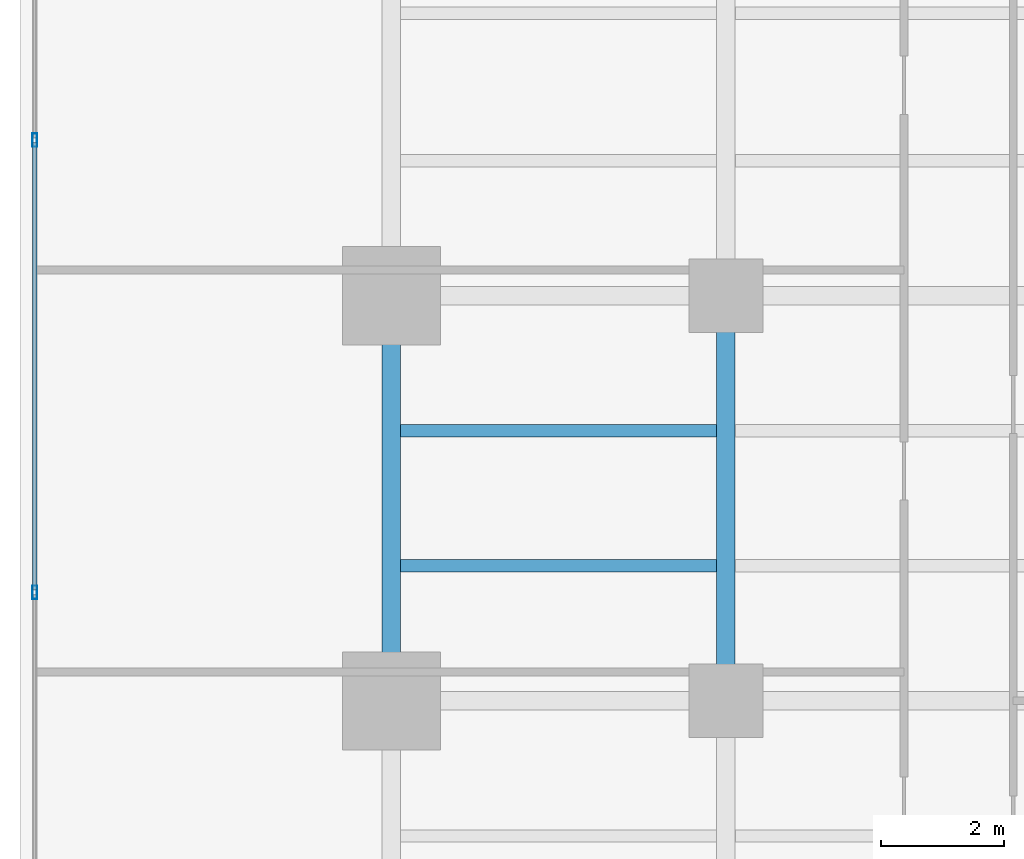
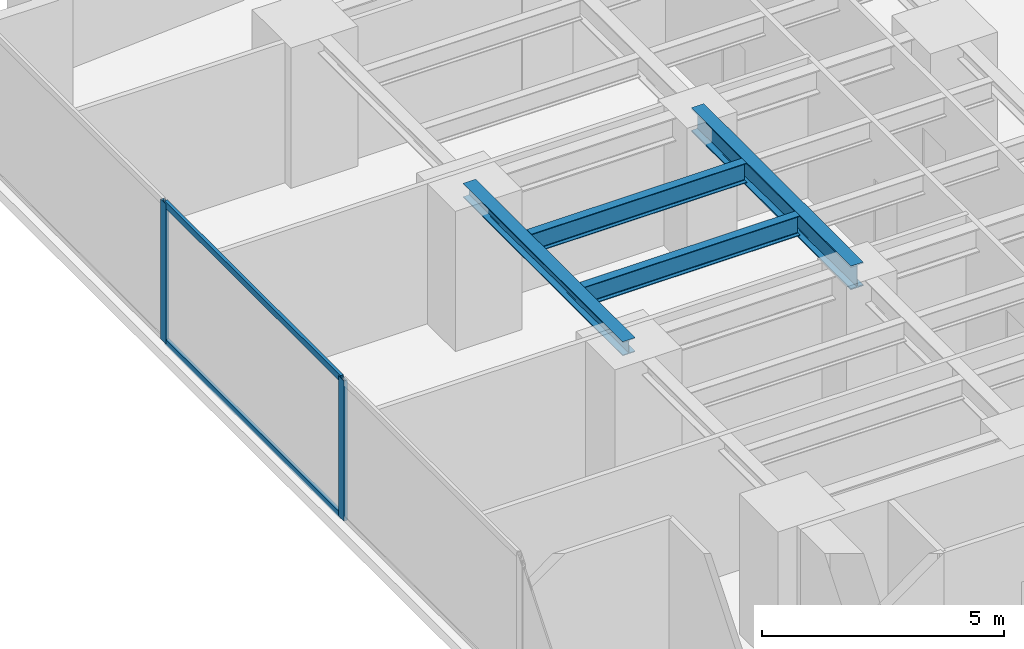
# One storey, part 15 of 27: 4 beams, 4 members, 1 element without a shape of its own.
"""IFC4 building model written with IfcOpenShell, lengths in metres."""

from ifc_helpers import new_model, si_unit, direction, frame, origin, origin_with_axes, origin_2d, place, context, subcontext, project, spatial, hollow_rectangle, i_section, extrude, source, transform, mapped, material, layer, layer_set, material_profile, profile_set, type_object, element, aggregate, save


model = new_model("IFC4")

# Units and contexts
model_context = context("Model", 3, precision=1e-05, world=origin(), true_north=direction((0.0, 1.0)))
body_context = subcontext(model_context, "Body", "Model", "MODEL_VIEW")
ifc_project = project(units=[si_unit("LENGTHUNIT", "METRE"), si_unit("AREAUNIT", "SQUARE_METRE"), si_unit("VOLUMEUNIT", "CUBIC_METRE"), si_unit("PLANEANGLEUNIT", "RADIAN"), si_unit("MASSUNIT", "GRAM", prefix="KILO")], contexts=[model_context])

# Site, building, storey
site_placement = place(None, origin())
site = spatial("IfcSite", under=ifc_project, at=site_placement, CompositionType="ELEMENT")
building_placement = place(site_placement, origin())
building = spatial("IfcBuilding", under=site, at=building_placement, Name="Kolvaren Waterfront Exchange", CompositionType="ELEMENT")
storey_placement = place(building_placement, frame((0.0, 0.0, 63.800048828125)))
storey = spatial("IfcBuildingStorey", under=building, at=storey_placement, Name="L16", CompositionType="ELEMENT", Elevation=63.800048828125)

# Beams
ifc_material_1 = material(Name="Steel S355", Category="steel")
ifc_material_profile_1 = material_profile(ifc_material_1, i_section(OverallWidth=0.300048828125, OverallDepth=0.360107421875, WebThickness=0.012451171875, FlangeThickness=0.0224609375, FilletRadius=0.027099609375, at=origin_2d()), Name="HEB360")
ifc_profile_set_1 = profile_set([ifc_material_profile_1], Name="Steel S355")
beam_type_1 = type_object("IfcBeamType", Name="STR-BM-HEB360", PredefinedType="SPANDREL", material=ifc_profile_set_1)
beam_1_placement = place(storey_placement, frame((7.449951171875, 31.199951171875, 3.35986328125), z_axis=(0.0, 1.0, 0.0), x_axis=(-1.0, 0.0, 0.0)))
element("IfcBeam", 1, at=beam_1_placement, inside=storey, type_object=beam_type_1, Name="L16 north-arm edge beam 2", PredefinedType="SPANDREL", context=body_context, shape_type="SweptSolid", body=[
    extrude(i_section(OverallWidth=0.300048828125, OverallDepth=0.360107421875, WebThickness=0.012451171875, FlangeThickness=0.0224609375, FilletRadius=0.027099609375, at=origin_2d()), origin(), (0.0, 0.0, 1.0), 6.60009765625),
])
ifc_material_profile_2 = material_profile(ifc_material_1, i_section(OverallWidth=0.300048828125, OverallDepth=0.60009765625, WebThickness=0.015380859375, FlangeThickness=0.030029296875, FilletRadius=0.027099609375, at=origin_2d()), Name="HEB600")
ifc_profile_set_2 = profile_set([ifc_material_profile_2], Name="Steel S355")
beam_type_2 = type_object("IfcBeamType", Name="STR-BM-HEB600", PredefinedType="BEAM", material=ifc_profile_set_2)
beam_2_placement = place(storey_placement, frame((12.89990234375, 31.199951171875, 3.239990234375), z_axis=(0.0, 1.0, 0.0), x_axis=(-1.0, 0.0, 0.0)))
element("IfcBeam", 2, at=beam_2_placement, inside=storey, type_object=beam_type_2, Name="L16 north-arm edge beam 2", PredefinedType="BEAM", context=body_context, shape_type="SweptSolid", body=[
    extrude(i_section(OverallWidth=0.300048828125, OverallDepth=0.60009765625, WebThickness=0.015380859375, FlangeThickness=0.030029296875, FilletRadius=0.027099609375, at=origin_2d()), origin(), (0.0, 0.0, 1.0), 6.60009765625),
])
ifc_material_profile_3 = material_profile(ifc_material_1, i_section(OverallWidth=0.199951171875, OverallDepth=0.5, WebThickness=0.01025390625, FlangeThickness=0.01611328125, FilletRadius=0.02099609375, at=origin_2d()), Name="IPE500")
ifc_profile_set_3 = profile_set([ifc_material_profile_3], Name="Steel S355")
beam_type_3 = type_object("IfcBeamType", Name="STR-BM-IPE500", PredefinedType="JOIST", material=ifc_profile_set_3)
for number, where, z_axis, x_axis, name in (
    (3, (7.60205078125, 33.39990234375, 3.2900390625), (1.0, 0.0, 0.0), (0.0, 1.0, 0.0), "L16 north-arm composite joist 3A"),
    (4, (7.60205078125, 35.60009765625, 3.2900390625), (1.0, 0.0, 0.0), (0.0, 1.0, 0.0), "L16 north-arm composite joist 4A"),
):
    element("IfcBeam", number, at=place(storey_placement, frame(where, z_axis=z_axis, x_axis=x_axis)), inside=storey, type_object=beam_type_3, Name=name, PredefinedType="JOIST", context=body_context, shape_type="SweptSolid", body=[
        extrude(i_section(OverallWidth=0.199951171875, OverallDepth=0.5, WebThickness=0.01025390625, FlangeThickness=0.01611328125, FilletRadius=0.02099609375, at=origin_2d()), origin(), (0.0, 0.0, 1.0), 5.14599609375),
    ])

# Curtain wall, members
ifc_material_2 = material(Name="Anodised aluminium 6063-T6", Category="aluminium")
ifc_layer = layer(ifc_material_2, 0.219970703125, Name="Anodised aluminium 6063-T6")
ifc_layer_set = layer_set([ifc_layer], Name="Anodised aluminium 6063-T6")
curtain_wall_type = type_object("IfcCurtainWallType", Name="ARC-CW-SYS2", PredefinedType="USERDEFINED", material=ifc_layer_set)
curtain_wall_placement = place(storey_placement, origin())
curtain_wall = element("IfcCurtainWall", 5, at=curtain_wall_placement, inside=storey, type_object=curtain_wall_type, Name="L16 stick curtain wall CW2 (CW-L16-W)", ObjectType="STICK CURTAIN WALL", PredefinedType="USERDEFINED")
ifc_material_profile_4 = material_profile(ifc_material_2, hollow_rectangle(XDim=0.074951171875, YDim=0.159912109375, WallThickness=0.00439453125, at=origin_2d()), Name="ALU-TRN-160x75x4.5")
ifc_profile_set_4 = profile_set([ifc_material_profile_4], Name="Anodised aluminium 6063-T6")
member_type_1 = type_object("IfcMemberType", Name="ARC-CWT-160", PredefinedType="USERDEFINED", material=ifc_profile_set_4)
shared_shape_1 = source(origin_with_axes(), body_context, "Body", "SweptSolid", [
    extrude(hollow_rectangle(XDim=0.074951171875, YDim=0.159912109375, WallThickness=0.00439453125, at=origin_2d()), origin(), (0.0, 0.0, 1.0), 7.28662109375),
])
member_1_placement = place(storey_placement, frame((1.639892578125, 33.006591796875, 0.037353515625), z_axis=(0.0, 1.0, 0.0), x_axis=(-1.0, 0.0, 0.0)))
member_1 = element("IfcMember", 6, at=member_1_placement, type_object=member_type_1, Name="CW2 transom 5.1", ObjectType="TRANSOM", PredefinedType="USERDEFINED", context=body_context, shape_type="MappedRepresentation", body=[
    mapped(shared_shape_1, transform((0.0, 0.0, 0.0), x_axis=(1.0, 0.0, 0.0), y_axis=(0.0, 1.0, 0.0), z_axis=(0.0, 0.0, 1.0), scale=1.0)),
])
member_2_placement = place(storey_placement, frame((1.639892578125, 33.006591796875, 3.50244140625), z_axis=(0.0, 1.0, 0.0), x_axis=(-1.0, 0.0, 0.0)))
member_2 = element("IfcMember", 7, at=member_2_placement, type_object=member_type_1, Name="CW2 transom 5.2", ObjectType="TRANSOM", PredefinedType="USERDEFINED", context=body_context, shape_type="MappedRepresentation", body=[
    mapped(shared_shape_1, transform((0.0, 0.0, 0.0), x_axis=(1.0, 0.0, 0.0), y_axis=(0.0, 1.0, 0.0), z_axis=(0.0, 0.0, 1.0), scale=1.0)),
])
ifc_material_profile_5 = material_profile(ifc_material_2, hollow_rectangle(XDim=0.080078125, YDim=0.219970703125, WallThickness=0.0048828125, at=origin_2d()), Name="ALU-MUL-220x80x5")
ifc_profile_set_5 = profile_set([ifc_material_profile_5], Name="Anodised aluminium 6063-T6")
member_type_2 = type_object("IfcMemberType", Name="ARC-CWM-220", PredefinedType="MULLION", material=ifc_profile_set_5)
shared_shape_2 = source(origin_with_axes(), body_context, "Body", "SweptSolid", [
    extrude(hollow_rectangle(XDim=0.080078125, YDim=0.219970703125, WallThickness=0.0048828125, at=origin_2d()), origin(), (0.0, 0.0, 1.0), 3.5400390625),
])
member_3_placement = place(storey_placement, frame((1.639892578125, 32.966552734375, 0.0), z_axis=(0.0, 0.0, 1.0), x_axis=(-1.0, 0.0, 0.0)))
member_3 = element("IfcMember", 8, at=member_3_placement, type_object=member_type_2, Name="CW2 mullion 5", PredefinedType="MULLION", context=body_context, shape_type="MappedRepresentation", body=[
    mapped(shared_shape_2, transform((0.0, 0.0, 0.0), x_axis=(1.0, 0.0, 0.0), y_axis=(0.0, 1.0, 0.0), z_axis=(0.0, 0.0, 1.0), scale=1.0)),
])
member_4_placement = place(storey_placement, frame((1.639892578125, 40.333251953125, 0.0), z_axis=(0.0, 0.0, 1.0), x_axis=(-1.0, 0.0, 0.0)))
member_4 = element("IfcMember", 9, at=member_4_placement, type_object=member_type_2, Name="CW2 mullion 6", PredefinedType="MULLION", context=body_context, shape_type="MappedRepresentation", body=[
    mapped(shared_shape_2, transform((0.0, 0.0, 0.0), x_axis=(1.0, 0.0, 0.0), y_axis=(0.0, 1.0, 0.0), z_axis=(0.0, 0.0, 1.0), scale=1.0)),
])
aggregate(curtain_wall, [member_3, member_4, member_1, member_2])

save(model, "model.ifc")
